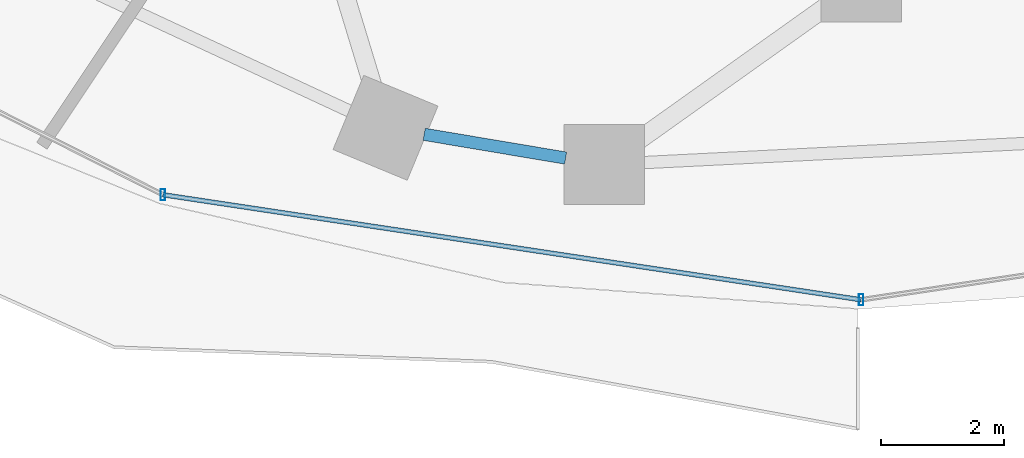
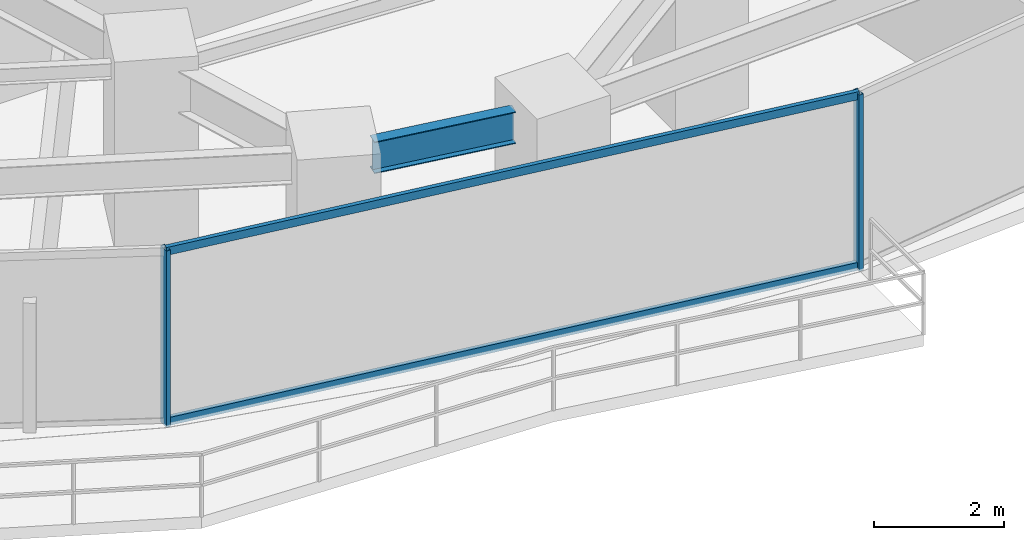
# One storey, part 5 of 30: 4 members, 1 beam, 1 element without a shape of its own.
"""IFC4 building model written with IfcOpenShell, lengths in metres."""

from ifc_helpers import new_model, si_unit, direction, frame, origin, origin_2d, place, context, subcontext, project, spatial, hollow_rectangle, i_section, extrude, material, material_profile, profile_set, type_object, element, aggregate, save


model = new_model("IFC4")

# Units and contexts
model_context = context("Model", 3, precision=1e-05, world=origin(), true_north=direction((0.0, 1.0)))
body_context = subcontext(model_context, "Body", "Model", "MODEL_VIEW")
ifc_project = project(units=[si_unit("LENGTHUNIT", "METRE"), si_unit("AREAUNIT", "SQUARE_METRE"), si_unit("VOLUMEUNIT", "CUBIC_METRE"), si_unit("PLANEANGLEUNIT", "RADIAN"), si_unit("MASSUNIT", "GRAM", prefix="KILO")], contexts=[model_context])

# Site, building, storey
site_placement = place(None, origin())
site = spatial("IfcSite", under=ifc_project, at=site_placement, CompositionType="ELEMENT")
building_placement = place(site_placement, origin())
building = spatial("IfcBuilding", under=site, at=building_placement, Name="Vorneva Point Tower", CompositionType="ELEMENT")
storey_placement = place(building_placement, frame((0.0, 0.0, 41.5)))
storey = spatial("IfcBuildingStorey", under=building, at=storey_placement, Name="L10", CompositionType="ELEMENT", Elevation=41.5)

# Beam
ifc_material_1 = material(Name="Steel S355", Category="steel")
ifc_material_profile_1 = material_profile(ifc_material_1, i_section(OverallWidth=0.198974609375, OverallDepth=0.595947265625, WebThickness=0.010009765625, FlangeThickness=0.014892578125, at=origin_2d()), Name="60B1")
ifc_profile_set_1 = profile_set([ifc_material_profile_1], Name="Steel S355")
beam_type = type_object("IfcBeamType", Name="BM-SPN-60B1", PredefinedType="SPANDREL", material=ifc_profile_set_1)
beam_placement = place(storey_placement, frame((30.923095703125, 6.330078125, 2.94189453125), z_axis=(0.986171485548, -0.165728093852, 0.0), x_axis=(0.165728093852, 0.986171485548, 0.0)))
element("IfcBeam", 1, at=beam_placement, inside=storey, type_object=beam_type, Name="L10 Perimeter Spandrel Ring Beam 12", PredefinedType="SPANDREL", context=body_context, shape_type="SweptSolid", body=[
    extrude(i_section(OverallWidth=0.198974609375, OverallDepth=0.595947265625, WebThickness=0.010009765625, FlangeThickness=0.014892578125, at=origin_2d()), origin(), (0.0, 0.0, 1.0), 2.3232421875),
])

# Curtain wall, members
ifc_material_2 = material(Name="Pale anodised aluminium", Category="aluminium")
curtain_wall_type = type_object("IfcCurtainWallType", Name="CW-HTL-SYS", PredefinedType="NOTDEFINED", material=ifc_material_2)
curtain_wall_placement = place(storey_placement, origin())
curtain_wall = element("IfcCurtainWall", 2, at=curtain_wall_placement, inside=storey, type_object=curtain_wall_type, Name="L10 Unitised Curtain Wall CW-L10-R04", PredefinedType="NOTDEFINED")
ifc_material_profile_2 = material_profile(ifc_material_2, hollow_rectangle(XDim=0.074951171875, YDim=0.179931640625, WallThickness=0.00390625, at=origin_2d()), Name="AL-MUL 180x75x4")
ifc_profile_set_2 = profile_set([ifc_material_profile_2], Name="Pale anodised aluminium")
member_type_1 = type_object("IfcMemberType", Name="CW-MUL-180", PredefinedType="MULLION", material=ifc_profile_set_2)
member_1_placement = place(storey_placement, frame((26.691650390625, 5.351318359375, -0.0400390625), z_axis=(0.0, 0.0, 1.0), x_axis=(1.0, 0.0, 0.0)))
member_1 = element("IfcMember", 3, at=member_1_placement, type_object=member_type_1, Name="CW-L10-R04 Mullion 02", PredefinedType="MULLION", context=body_context, shape_type="SweptSolid", body=[
    extrude(hollow_rectangle(XDim=0.074951171875, YDim=0.179931640625, WallThickness=0.00390625, at=origin_2d()), origin(), (0.0, 0.0, 1.0), 3.31005859375),
])
member_2_placement = place(storey_placement, frame((38.0, 3.64990234375, -0.0400390625), z_axis=(0.0, 0.0, 1.0), x_axis=(1.0, 0.0, 0.0)))
member_2 = element("IfcMember", 4, at=member_2_placement, type_object=member_type_1, Name="CW-L10-R04 Mullion 03", PredefinedType="MULLION", context=body_context, shape_type="SweptSolid", body=[
    extrude(hollow_rectangle(XDim=0.074951171875, YDim=0.179931640625, WallThickness=0.00390625, at=origin_2d()), origin(), (0.0, 0.0, 1.0), 3.31005859375),
])
ifc_material_profile_3 = material_profile(ifc_material_2, hollow_rectangle(XDim=0.074951171875, YDim=0.14990234375, WallThickness=0.00390625, at=origin_2d()), Name="AL-TRN 150x75x4")
ifc_profile_set_3 = profile_set([ifc_material_profile_3], Name="Pale anodised aluminium")
member_type_2 = type_object("IfcMemberType", Name="CW-TRN-150", PredefinedType="USERDEFINED", material=ifc_profile_set_3)
member_3_placement = place(storey_placement, frame((26.691650390625, 5.351318359375, 0.02001953125), z_axis=(0.988870014575, -0.148782036131, 0.0), x_axis=(0.148782036131, 0.988870014575, 0.0)))
member_3 = element("IfcMember", 5, at=member_3_placement, type_object=member_type_2, Name="CW-L10-R04 Transom 02.1", ObjectType="TRANSOM", PredefinedType="USERDEFINED", context=body_context, shape_type="SweptSolid", body=[
    extrude(hollow_rectangle(XDim=0.074951171875, YDim=0.14990234375, WallThickness=0.00390625, at=origin_2d()), origin(), (0.0, 0.0, 1.0), 11.435546875),
])
member_4_placement = place(storey_placement, frame((26.691650390625, 5.351318359375, 3.219970703125), z_axis=(0.988870014575, -0.148782036131, 0.0), x_axis=(0.148782036131, 0.988870014575, 0.0)))
member_4 = element("IfcMember", 6, at=member_4_placement, type_object=member_type_2, Name="CW-L10-R04 Transom 02.2", ObjectType="TRANSOM", PredefinedType="USERDEFINED", context=body_context, shape_type="SweptSolid", body=[
    extrude(hollow_rectangle(XDim=0.074951171875, YDim=0.14990234375, WallThickness=0.00390625, at=origin_2d()), origin(), (0.0, 0.0, 1.0), 11.435546875),
])
aggregate(curtain_wall, [member_1, member_2, member_3, member_4])

save(model, "model.ifc")
